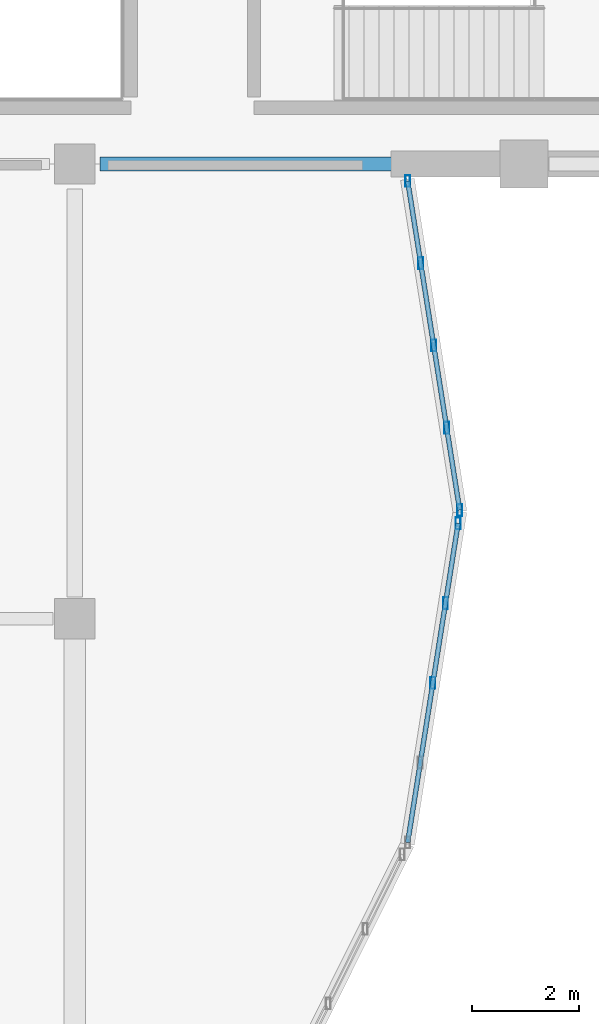
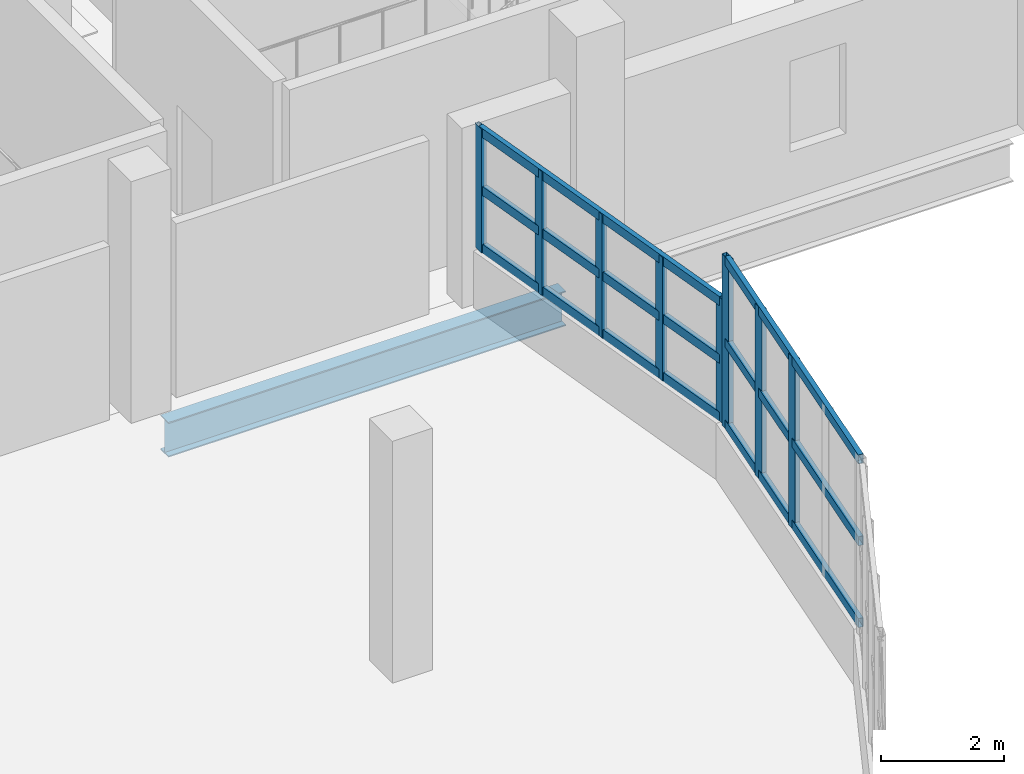
# One storey, part 26 of 117: 14 members, 1 beam, 2 elements without a shape of their own.
"""IFC4 building model written with IfcOpenShell, lengths in metres."""

from ifc_helpers import new_model, si_unit, direction, frame, origin, origin_2d, place, context, subcontext, project, spatial, hollow_rectangle, i_section, extrude, material, material_profile, profile_set, type_object, element, aggregate, save


model = new_model("IFC4")

# Units and contexts
model_context = context("Model", 3, precision=1e-05, world=origin(), true_north=direction((0.0, 1.0)))
body_context = subcontext(model_context, "Body", "Model", "MODEL_VIEW")
ifc_project = project(units=[si_unit("LENGTHUNIT", "METRE"), si_unit("AREAUNIT", "SQUARE_METRE"), si_unit("VOLUMEUNIT", "CUBIC_METRE"), si_unit("PLANEANGLEUNIT", "RADIAN"), si_unit("MASSUNIT", "GRAM", prefix="KILO")], contexts=[model_context])

# Site, building, storey
site_placement = place(None, origin())
site = spatial("IfcSite", under=ifc_project, at=site_placement, CompositionType="ELEMENT")
building_placement = place(site_placement, origin())
building = spatial("IfcBuilding", under=site, at=building_placement, Name="Solvento Point Concert Hall", CompositionType="ELEMENT")
storey_placement = place(building_placement, frame((0.0, 0.0, 5.39990234375)))
storey = spatial("IfcBuildingStorey", under=building, at=storey_placement, Name="L01", CompositionType="ELEMENT", Elevation=5.39990234375)

# Beam
ifc_material_1 = material(Name="Structural Steel ASTM A992 Grade 50", Category="steel")
ifc_material_profile_1 = material_profile(ifc_material_1, i_section(OverallWidth=0.256103515625, OverallDepth=0.693115234375, WebThickness=0.014404296875, FlangeThickness=0.023681640625, at=origin_2d()), Name="W27X114")
ifc_profile_set_1 = profile_set([ifc_material_profile_1], Name="Structural Steel ASTM A992 Grade 50")
beam_type = type_object("IfcBeamType", Name="Girder_W27X114", PredefinedType="USERDEFINED", material=ifc_profile_set_1)
beam_placement = place(storey_placement, frame((83.26904296875, 42.5, -0.7705078125), z_axis=(1.0, 0.0, 0.0), x_axis=(0.0, 1.0, 0.0)))
element("IfcBeam", 1, at=beam_placement, inside=storey, type_object=beam_type, Name="Primary girder B-23 L01", ObjectType="GIRDER", PredefinedType="USERDEFINED", context=body_context, shape_type="SweptSolid", body=[
    extrude(i_section(OverallWidth=0.256103515625, OverallDepth=0.693115234375, WebThickness=0.014404296875, FlangeThickness=0.023681640625, at=origin_2d()), origin(), (0.0, 0.0, 1.0), 7.4619140625),
])

# Curtain wall, members
ifc_material_2 = material(Name="Anodized Bronze Aluminium", Category="aluminium")
curtain_wall_type = type_object("IfcCurtainWallType", Name="CurtainWall_RingRibbon_L01_02", PredefinedType="USERDEFINED", material=ifc_material_2)
curtain_wall_1_placement = place(storey_placement, origin())
curtain_wall_1 = element("IfcCurtainWall", 2, at=curtain_wall_1_placement, inside=storey, type_object=curtain_wall_type, Name="Unitised curtain wall CW-59 UCW-L01-106", ObjectType="UNITISED CURTAIN WALL", PredefinedType="USERDEFINED")
ifc_material_3 = material(Name="Anodized Bronze Aluminium", Category="aluminium")
ifc_material_profile_2 = material_profile(ifc_material_3, hollow_rectangle(XDim=0.090087890625, YDim=0.219970703125, WallThickness=0.00439453125, at=origin_2d()), Name="CW-MUL-90X220")
ifc_profile_set_2 = profile_set([ifc_material_profile_2], Name="Anodized Bronze Aluminium")
member_type_1 = type_object("IfcMemberType", Name="Mullion_90x220", PredefinedType="MULLION", material=ifc_profile_set_2)
member_1_placement = place(storey_placement, frame((89.0234375, 42.18212890625, 1.1201171875), z_axis=(0.0, 0.0, 1.0), x_axis=(1.0, 0.0, 0.0)))
member_1 = element("IfcMember", 3, at=member_1_placement, type_object=member_type_1, Name="Curtain wall mullion ML-02", PredefinedType="MULLION", context=body_context, shape_type="SweptSolid", body=[
    extrude(hollow_rectangle(XDim=0.090087890625, YDim=0.219970703125, WallThickness=0.00439453125, at=origin_2d()), origin(), (0.0, 0.0, 1.0), 2.4541015625),
])
member_2_placement = place(storey_placement, frame((89.266357421875, 40.64404296875, 1.1201171875), z_axis=(0.0, 0.0, 1.0), x_axis=(1.0, 0.0, 0.0)))
member_2 = element("IfcMember", 4, at=member_2_placement, type_object=member_type_1, Name="Curtain wall mullion ML-02", PredefinedType="MULLION", context=body_context, shape_type="SweptSolid", body=[
    extrude(hollow_rectangle(XDim=0.090087890625, YDim=0.219970703125, WallThickness=0.00439453125, at=origin_2d()), origin(), (0.0, 0.0, 1.0), 2.4541015625),
])
member_3_placement = place(storey_placement, frame((89.50927734375, 39.10595703125, 1.1201171875), z_axis=(0.0, 0.0, 1.0), x_axis=(1.0, 0.0, 0.0)))
member_3 = element("IfcMember", 5, at=member_3_placement, type_object=member_type_1, Name="Curtain wall mullion ML-02", PredefinedType="MULLION", context=body_context, shape_type="SweptSolid", body=[
    extrude(hollow_rectangle(XDim=0.090087890625, YDim=0.219970703125, WallThickness=0.00439453125, at=origin_2d()), origin(), (0.0, 0.0, 1.0), 2.4541015625),
])
member_4_placement = place(storey_placement, frame((89.752197265625, 37.567626953125, 1.1201171875), z_axis=(0.0, 0.0, 1.0), x_axis=(1.0, 0.0, 0.0)))
member_4 = element("IfcMember", 6, at=member_4_placement, type_object=member_type_1, Name="Curtain wall mullion ML-02", PredefinedType="MULLION", context=body_context, shape_type="SweptSolid", body=[
    extrude(hollow_rectangle(XDim=0.090087890625, YDim=0.219970703125, WallThickness=0.00439453125, at=origin_2d()), origin(), (0.0, 0.0, 1.0), 2.4541015625),
])
member_5_placement = place(storey_placement, frame((89.995361328125, 36.029541015625, 1.1201171875), z_axis=(0.0, 0.0, 1.0), x_axis=(1.0, 0.0, 0.0)))
member_5 = element("IfcMember", 7, at=member_5_placement, type_object=member_type_1, Name="Curtain wall mullion ML-02", PredefinedType="MULLION", context=body_context, shape_type="SweptSolid", body=[
    extrude(hollow_rectangle(XDim=0.090087890625, YDim=0.219970703125, WallThickness=0.00439453125, at=origin_2d()), origin(), (0.0, 0.0, 1.0), 2.4541015625),
])

curtain_wall_2_placement = place(storey_placement, origin())
curtain_wall_2 = element("IfcCurtainWall", 8, at=curtain_wall_2_placement, inside=storey, type_object=curtain_wall_type, Name="Unitised curtain wall CW-59 UCW-L01-107", ObjectType="UNITISED CURTAIN WALL", PredefinedType="USERDEFINED")
member_6_placement = place(storey_placement, frame((89.9658203125, 35.78271484375, 1.1201171875), z_axis=(0.0, 0.0, 1.0), x_axis=(1.0, 0.0, 0.0)))
member_6 = element("IfcMember", 9, at=member_6_placement, type_object=member_type_1, Name="Curtain wall mullion ML-02", PredefinedType="MULLION", context=body_context, shape_type="SweptSolid", body=[
    extrude(hollow_rectangle(XDim=0.090087890625, YDim=0.219970703125, WallThickness=0.00439453125, at=origin_2d()), origin(), (0.0, 0.0, 1.0), 3.409912109375),
])
member_7_placement = place(storey_placement, frame((89.72998046875, 34.29150390625, 1.1201171875), z_axis=(0.0, 0.0, 1.0), x_axis=(1.0, 0.0, 0.0)))
member_7 = element("IfcMember", 10, at=member_7_placement, type_object=member_type_1, Name="Curtain wall mullion ML-02", PredefinedType="MULLION", context=body_context, shape_type="SweptSolid", body=[
    extrude(hollow_rectangle(XDim=0.090087890625, YDim=0.219970703125, WallThickness=0.00439453125, at=origin_2d()), origin(), (0.0, 0.0, 1.0), 3.409912109375),
])
member_8_placement = place(storey_placement, frame((89.494384765625, 32.80029296875, 1.1201171875), z_axis=(0.0, 0.0, 1.0), x_axis=(1.0, 0.0, 0.0)))
member_8 = element("IfcMember", 11, at=member_8_placement, type_object=member_type_1, Name="Curtain wall mullion ML-02", PredefinedType="MULLION", context=body_context, shape_type="SweptSolid", body=[
    extrude(hollow_rectangle(XDim=0.090087890625, YDim=0.219970703125, WallThickness=0.00439453125, at=origin_2d()), origin(), (0.0, 0.0, 1.0), 3.409912109375),
])

# Member
ifc_material_4 = material(Name="Anodized Bronze Aluminium", Category="aluminium")
ifc_material_profile_3 = material_profile(ifc_material_4, hollow_rectangle(XDim=0.090087890625, YDim=0.179931640625, WallThickness=0.00439453125, at=origin_2d()), Name="CW-TRN-90X180")
ifc_profile_set_3 = profile_set([ifc_material_profile_3], Name="Anodized Bronze Aluminium")
member_type_2 = type_object("IfcMemberType", Name="Transom_90x180", PredefinedType="USERDEFINED", material=ifc_profile_set_3)
member_9_placement = place(storey_placement, frame((89.0234375, 42.18212890625, 1.2001953125), z_axis=(0.156035030714, -0.987751521988, 0.0), x_axis=(0.987751521988, 0.156035030714, 0.0)))
member_9 = element("IfcMember", 12, at=member_9_placement, type_object=member_type_2, Name="Curtain wall transom TR-02", ObjectType="TRANSOM", PredefinedType="USERDEFINED", context=body_context, shape_type="SweptSolid", body=[
    extrude(hollow_rectangle(XDim=0.090087890625, YDim=0.179931640625, WallThickness=0.00439453125, at=origin_2d()), origin(), (0.0, 0.0, 1.0), 6.22900390625),
])

member_10_placement = place(storey_placement, frame((89.0234375, 42.18212890625, 2.34716796875), z_axis=(0.156035030714, -0.987751521988, 0.0), x_axis=(0.987751521988, 0.156035030714, 0.0)))
member_10 = element("IfcMember", 13, at=member_10_placement, type_object=member_type_2, Name="Curtain wall transom TR-02", ObjectType="TRANSOM", PredefinedType="USERDEFINED", context=body_context, shape_type="SweptSolid", body=[
    extrude(hollow_rectangle(XDim=0.090087890625, YDim=0.179931640625, WallThickness=0.00439453125, at=origin_2d()), origin(), (0.0, 0.0, 1.0), 6.22900390625),
])

member_11_placement = place(storey_placement, frame((89.0234375, 42.18212890625, 3.494140625), z_axis=(0.156035030714, -0.987751521988, 0.0), x_axis=(0.987751521988, 0.156035030714, 0.0)))
member_11 = element("IfcMember", 14, at=member_11_placement, type_object=member_type_2, Name="Curtain wall transom TR-02", ObjectType="TRANSOM", PredefinedType="USERDEFINED", context=body_context, shape_type="SweptSolid", body=[
    extrude(hollow_rectangle(XDim=0.090087890625, YDim=0.179931640625, WallThickness=0.00439453125, at=origin_2d()), origin(), (0.0, 0.0, 1.0), 6.22900390625),
])

aggregate(curtain_wall_1, [member_1, member_2, member_3, member_4, member_5, member_9, member_10, member_11])

member_12_placement = place(storey_placement, frame((89.9658203125, 35.78271484375, 1.2001953125), z_axis=(-0.15605391931, -0.987748537973, 0.0), x_axis=(0.987748537973, -0.15605391931, 0.0)))
member_12 = element("IfcMember", 15, at=member_12_placement, type_object=member_type_2, Name="Curtain wall transom TR-02", ObjectType="TRANSOM", PredefinedType="USERDEFINED", context=body_context, shape_type="SweptSolid", body=[
    extrude(hollow_rectangle(XDim=0.090087890625, YDim=0.179931640625, WallThickness=0.00439453125, at=origin_2d()), origin(), (0.0, 0.0, 1.0), 6.038818359375),
])

member_13_placement = place(storey_placement, frame((89.9658203125, 35.78271484375, 2.8251953125), z_axis=(-0.15605391931, -0.987748537973, 0.0), x_axis=(0.987748537973, -0.15605391931, 0.0)))
member_13 = element("IfcMember", 16, at=member_13_placement, type_object=member_type_2, Name="Curtain wall transom TR-02", ObjectType="TRANSOM", PredefinedType="USERDEFINED", context=body_context, shape_type="SweptSolid", body=[
    extrude(hollow_rectangle(XDim=0.090087890625, YDim=0.179931640625, WallThickness=0.00439453125, at=origin_2d()), origin(), (0.0, 0.0, 1.0), 6.038818359375),
])

member_14_placement = place(storey_placement, frame((89.9658203125, 35.78271484375, 4.4501953125), z_axis=(-0.15605391931, -0.987748537973, 0.0), x_axis=(0.987748537973, -0.15605391931, 0.0)))
member_14 = element("IfcMember", 17, at=member_14_placement, type_object=member_type_2, Name="Curtain wall transom TR-02", ObjectType="TRANSOM", PredefinedType="USERDEFINED", context=body_context, shape_type="SweptSolid", body=[
    extrude(hollow_rectangle(XDim=0.090087890625, YDim=0.179931640625, WallThickness=0.00439453125, at=origin_2d()), origin(), (0.0, 0.0, 1.0), 6.038818359375),
])

aggregate(curtain_wall_2, [member_6, member_7, member_8, member_12, member_13, member_14])

save(model, "model.ifc")
